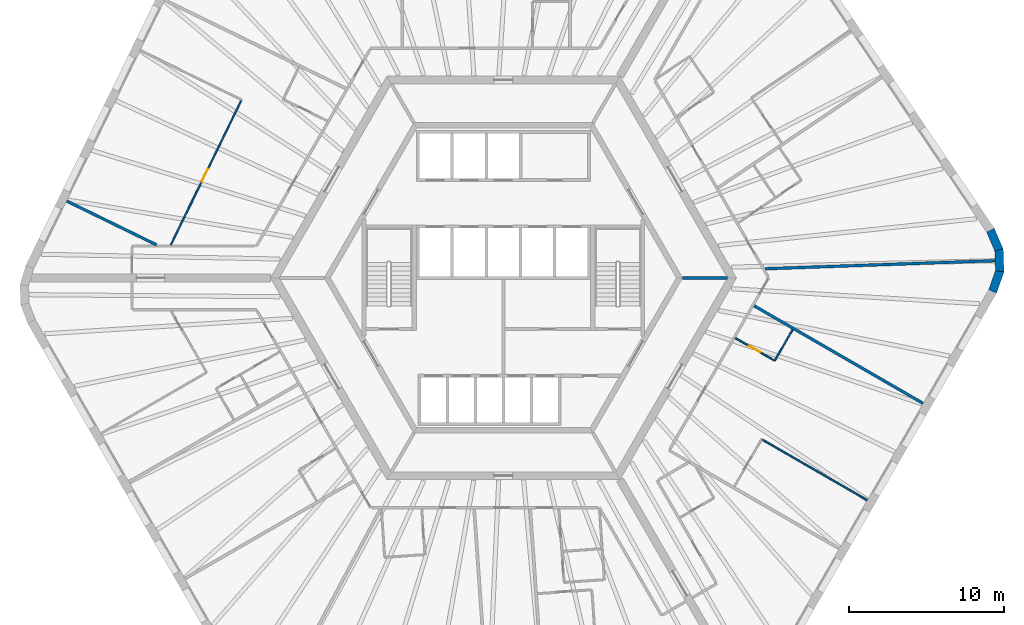
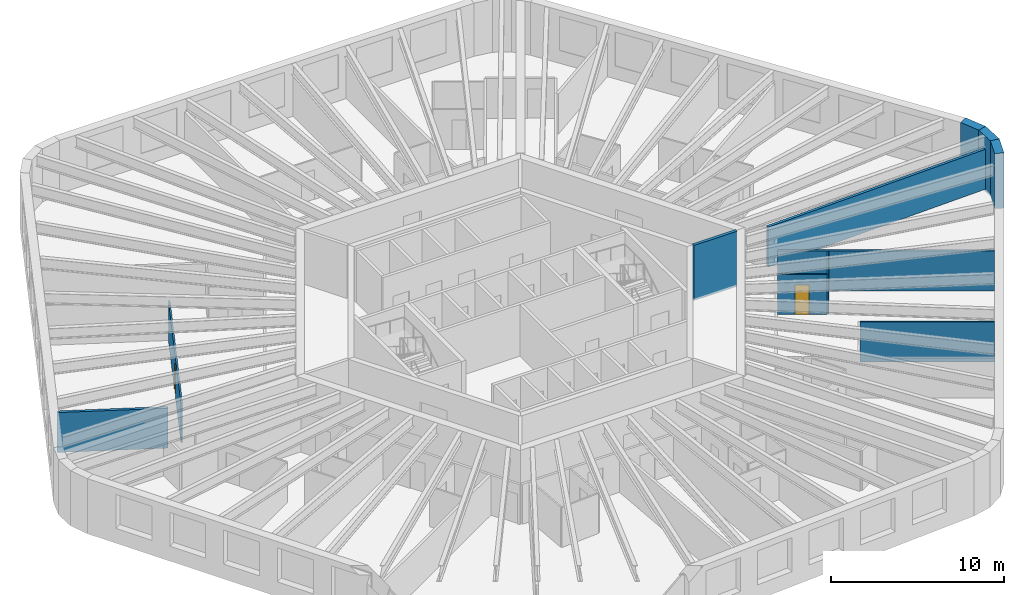
# One storey, part 6 of 10: 11 walls, 2 doors, 2 openings.
"""IFC4 building model written with IfcOpenShell, lengths in metres."""

from ifc_helpers import new_model, si_unit, direction, frame, frame_2d, origin, place, context, subcontext, project, spatial, polyline, rectangle, outline, extrude, material, layer, layer_set, type_object, element, fill, save


model = new_model("IFC4")

# Units and contexts
model_context = context("Model", 3, precision=1e-05, world=origin(), true_north=direction((0.0, 1.0)))
body_context = subcontext(model_context, "Body", "Model", "MODEL_VIEW")
ifc_project = project(units=[si_unit("LENGTHUNIT", "METRE"), si_unit("AREAUNIT", "SQUARE_METRE"), si_unit("VOLUMEUNIT", "CUBIC_METRE"), si_unit("PLANEANGLEUNIT", "RADIAN"), si_unit("MASSUNIT", "GRAM", prefix="KILO")], contexts=[model_context])

# Site, building, storey
site_placement = place(None, origin())
site = spatial("IfcSite", under=ifc_project, at=site_placement, CompositionType="ELEMENT")
building_placement = place(site_placement, origin())
building = spatial("IfcBuilding", under=site, at=building_placement, Name="Tarnside Tower", CompositionType="ELEMENT")
storey_placement = place(building_placement, frame((0.0, 0.0, 156.60009765625)))
storey = spatial("IfcBuildingStorey", under=building, at=storey_placement, Name="L36", CompositionType="ELEMENT", Elevation=156.60009765625)

# Wall
ifc_material_1 = material(Name="Gypsum board partition on steel studs", Category="steel")
ifc_layer_1 = layer(ifc_material_1, 0.10009765625)
ifc_layer_set_1 = layer_set([ifc_layer_1], Name="Bathroom wall 100")
wall_type_1 = type_object("IfcWallType", Name="Bathroom wall 100", PredefinedType="PARTITIONING", material=ifc_layer_set_1)
wall_1_placement = place(storey_placement, frame((18.629150390625, -3.333251953125, 0.0), z_axis=(0.0, 0.0, 1.0), x_axis=(-0.500015210774, -0.866016621662, 0.0)))
element("IfcWall", 1, at=wall_1_placement, inside=storey, type_object=wall_type_1, Name="Bathroom wall 11099", PredefinedType="PARTITIONING", context=body_context, shape_type="SweptSolid", body=[
    extrude(rectangle(XDim=2.31005859375, YDim=0.10009765625, at=frame_2d((1.155029296875, 0.0))), origin(), (0.0, 0.0, 1.0), 2.8232421875),
])

# Wall, opening, door
wall_2_placement = place(storey_placement, frame((17.430908203125, -5.308837890625, 0.0), z_axis=(0.0, 0.0, 1.0), x_axis=(-0.866018712932, 0.500011588718, 0.0)))
wall_2 = element("IfcWall", 2, at=wall_2_placement, inside=storey, type_object=wall_type_1, Name="Bathroom wall 11100", PredefinedType="PARTITIONING", context=body_context, shape_type="SweptSolid", body=[
    extrude(rectangle(XDim=2.875, YDim=0.10009765625, at=frame_2d((1.4375, 0.0))), origin(), (0.0, 0.0, 1.0), 2.8232421875),
])
opening_1_placement = place(wall_2_placement, frame((1.050048828125, 0.0, 0.0)))
opening_1 = element("IfcOpeningElement", 3, at=opening_1_placement, cuts=wall_2, Name="Opening D-B1", PredefinedType="OPENING", context=body_context, shape_type="SweptSolid", body=[
    extrude(rectangle(XDim=0.800048828125, YDim=2.10009765625, at=frame_2d((0.39990234375, 1.050048828125))), frame((0.0, 0.06005859375, 0.0), z_axis=(0.0, -1.0, 0.0), x_axis=(1.0, 0.0, 0.0)), (0.0, 0.0, 1.0), 0.1201171875),
])
ifc_material_2 = material(Name="Timber door leaf", Category="wood")
door_type_1 = type_object("IfcDoorType", Name="Bathroom door 800", OperationType="NOTDEFINED", PredefinedType="DOOR", material=ifc_material_2)
door_1_placement = place(opening_1_placement, origin())
door_1 = element("IfcDoor", 4, at=door_1_placement, inside=storey, type_object=door_type_1, Name="Bathroom door 11028", OperationType="SINGLE_SWING_LEFT", OverallHeight=2.10009765625, OverallWidth=0.800048828125, PredefinedType="DOOR", context=body_context, shape_type="SweptSolid", body=[
    extrude(rectangle(XDim=0.800048828125, YDim=2.10009765625, at=frame_2d((0.39990234375, 1.050048828125))), frame((0.0, 0.02490234375, 0.0), z_axis=(0.0, -1.0, 0.0), x_axis=(1.0, 0.0, 0.0)), (0.0, 0.0, 1.0), 0.050048828125),
])
fill(opening_1, door_1)

# Walls
ifc_layer_2 = layer(ifc_material_1, 0.179931640625)
ifc_layer_set_2 = layer_set([ifc_layer_2], Name="Demising wall 180 EI 60")
wall_type_2 = type_object("IfcWallType", Name="Demising wall 180 EI 60", PredefinedType="PARTITIONING", material=ifc_layer_set_2)
wall_3_placement = place(storey_placement, frame((-28.127197265625, 4.948974609375, 0.0), z_axis=(0.0, 0.0, 1.0), x_axis=(0.898795032868, -0.438369124017, 0.0)))
element("IfcWall", 5, at=wall_3_placement, inside=storey, type_object=wall_type_2, Name="Demising wall 11065", PredefinedType="PARTITIONING", context=body_context, shape_type="SweptSolid", body=[
    extrude(rectangle(XDim=6.44189453125, YDim=0.179931640625, at=frame_2d((3.220947265625, 0.0))), origin(), (0.0, 0.0, 1.0), 2.8232421875),
])
wall_4_placement = place(storey_placement, frame((27.03125, -8.080322265625, 0.0), z_axis=(0.0, 0.0, 1.0), x_axis=(-0.86602780907, 0.499995833901, 0.0)))
element("IfcWall", 6, at=wall_4_placement, inside=storey, type_object=wall_type_2, Name="Demising wall 11103", PredefinedType="PARTITIONING", context=body_context, shape_type="SweptSolid", body=[
    extrude(rectangle(XDim=12.57470703125, YDim=0.179931640625, at=frame_2d((6.287353515625, 0.0))), origin(), (0.0, 0.0, 1.0), 2.8232421875),
])
wall_5_placement = place(storey_placement, frame((31.66650390625, 1.105712890625, 0.0), z_axis=(0.0, 0.0, 1.0), x_axis=(-0.999390937365, -0.034896336667, 0.0)))
element("IfcWall", 7, at=wall_5_placement, inside=storey, type_object=wall_type_2, Name="Demising wall 11105", PredefinedType="PARTITIONING", context=body_context, shape_type="SweptSolid", body=[
    extrude(rectangle(XDim=14.8388671875, YDim=0.179931640625, at=frame_2d((7.41943359375, 0.0))), origin(), (0.0, 0.0, 1.0), 2.8232421875),
])
ifc_material_3 = material(Name="Concrete C40/50", Category="concrete")
ifc_layer_3 = layer(ifc_material_3, 0.199951171875)
ifc_layer_set_3 = layer_set([ifc_layer_3], Name="Lift shaft wall 200 C40/50")
wall_type_3 = type_object("IfcWallType", Name="Lift shaft wall 200 C40/50", PredefinedType="SHEAR", material=ifc_layer_set_3)
wall_6_placement = place(storey_placement, frame((11.547119140625, 0.0, -0.150146484375), z_axis=(0.0, 0.0, 1.0), x_axis=(1.0, 0.0, 0.0)))
element("IfcWall", 8, at=wall_6_placement, inside=storey, type_object=wall_type_3, Name="L36 core partition AR0", PredefinedType="SHEAR", context=body_context, shape_type="SweptSolid", body=[
    extrude(rectangle(XDim=2.88671875, YDim=0.199951171875, at=frame_2d((1.443359375, 0.0))), origin(), (0.0, 0.0, 1.0), 3.900146484375),
])

# Wall, opening, door
ifc_layer_4 = layer(ifc_material_1, 0.10009765625)
ifc_layer_set_4 = layer_set([ifc_layer_4], Name="Partition 100")
wall_type_4 = type_object("IfcWallType", Name="Partition 100", PredefinedType="PARTITIONING", material=ifc_layer_set_4)
wall_7_placement = place(storey_placement, frame((-16.88720703125, 11.427490234375, 0.0), z_axis=(0.0, 0.0, 1.0), x_axis=(-0.438369721011, -0.898794741696, 0.0)))
wall_7 = element("IfcWall", 9, at=wall_7_placement, inside=storey, type_object=wall_type_4, Name="Partition wall 11064", PredefinedType="PARTITIONING", context=body_context, shape_type="SweptSolid", body=[
    extrude(rectangle(XDim=10.349853515625, YDim=0.10009765625, at=frame_2d((5.1748046875, 0.0))), origin(), (0.0, 0.0, 1.0), 2.8232421875),
])
opening_2_placement = place(wall_7_placement, frame((4.89990234375, 0.0, 0.0)))
opening_2 = element("IfcOpeningElement", 10, at=opening_2_placement, cuts=wall_7, Name="Opening D-I1", PredefinedType="OPENING", context=body_context, shape_type="SweptSolid", body=[
    extrude(rectangle(XDim=0.89990234375, YDim=2.10009765625, at=frame_2d((0.449951171875, 1.050048828125))), frame((0.0, 0.06005859375, 0.0), z_axis=(0.0, -1.0, 0.0), x_axis=(1.0, 0.0, 0.0)), (0.0, 0.0, 1.0), 0.1201171875),
])
door_type_2 = type_object("IfcDoorType", Name="Internal door 900", OperationType="NOTDEFINED", PredefinedType="DOOR", material=ifc_material_2)
door_2_placement = place(opening_2_placement, origin())
door_2 = element("IfcDoor", 11, at=door_2_placement, inside=storey, type_object=door_type_2, Name="Internal door 11009", OperationType="SINGLE_SWING_LEFT", OverallHeight=2.10009765625, OverallWidth=0.89990234375, PredefinedType="DOOR", context=body_context, shape_type="SweptSolid", body=[
    extrude(rectangle(XDim=0.89990234375, YDim=2.10009765625, at=frame_2d((0.449951171875, 1.050048828125))), frame((0.0, 0.02490234375, 0.0), z_axis=(0.0, -1.0, 0.0), x_axis=(1.0, 0.0, 0.0)), (0.0, 0.0, 1.0), 0.050048828125),
])
fill(opening_2, door_2)

# Walls
wall_8_placement = place(storey_placement, frame((16.67626953125, -10.415771484375, 0.0), z_axis=(0.0, 0.0, 1.0), x_axis=(0.866034953203, -0.499983459557, 0.0)))
element("IfcWall", 12, at=wall_8_placement, inside=storey, type_object=wall_type_4, Name="Partition wall 11102", PredefinedType="PARTITIONING", context=body_context, shape_type="SweptSolid", body=[
    extrude(rectangle(XDim=7.800048828125, YDim=0.10009765625, at=frame_2d((3.89990234375, 0.0))), origin(), (0.0, 0.0, 1.0), 2.8232421875),
])
ifc_material_4 = material(Name="Facing brick", Category="masonry")
ifc_layer_5 = layer(ifc_material_4, 0.10205078125)
ifc_material_5 = material(Name="Concrete C60/75 precast", Category="concrete")
ifc_layer_6 = layer(ifc_material_5, 0.347900390625)
ifc_material_6 = material(Name="Mineral wool insulation")
ifc_layer_7 = layer(ifc_material_6, 0.10009765625)
ifc_layer_set_5 = layer_set([ifc_layer_5, ifc_layer_6, ifc_layer_7], Name="Tube wall 550 brick faced")
wall_type_5 = type_object("IfcWallType", Name="Tube wall 550 brick faced", PredefinedType="SOLIDWALL", material=ifc_layer_set_5)
wall_9_placement = place(storey_placement, frame((31.509033203125, -0.874755859375, -0.150146484375), z_axis=(0.0, 0.0, 1.0), x_axis=(0.33111537203, 0.943590276765, 0.0)))
element("IfcWall", 13, at=wall_9_placement, inside=storey, type_object=wall_type_5, Name="Tube wall L36 F5 chord 17", PredefinedType="SOLIDWALL", context=body_context, shape_type="SweptSolid", body=[
    extrude(outline(polyline([(-0.025634765625, -0.27490234375), (1.4306640625, -0.27490234375), (1.3271484375, 0.27490234375), (0.025634765625, 0.27490234375), (-0.025634765625, -0.27490234375)])), origin(), (0.0, 0.0, 1.0), 3.900146484375),
])
wall_10_placement = place(storey_placement, frame((31.965576171875, 0.42626953125, -0.150146484375), z_axis=(0.0, 0.0, 1.0), x_axis=(-0.034876908462, 0.999391615562, 0.0)))
element("IfcWall", 14, at=wall_10_placement, inside=storey, type_object=wall_type_5, Name="Tube wall L36 F5 chord 18", PredefinedType="SOLIDWALL", context=body_context, shape_type="SweptSolid", body=[
    extrude(outline(polyline([(-0.0517578125, -0.27490234375), (1.4306640625, -0.27490234375), (1.3271484375, 0.27490234375), (0.0517578125, 0.27490234375), (-0.0517578125, -0.27490234375)])), origin(), (0.0, 0.0, 1.0), 3.900146484375),
])
wall_11_placement = place(storey_placement, frame((31.91748046875, 1.804443359375, -0.150146484375), z_axis=(0.0, 0.0, 1.0), x_axis=(-0.396225741392, 0.918153125496, 0.0)))
element("IfcWall", 15, at=wall_11_placement, inside=storey, type_object=wall_type_5, Name="Tube wall L36 F5 chord 19", PredefinedType="SOLIDWALL", context=body_context, shape_type="SweptSolid", body=[
    extrude(outline(polyline([(-0.0517578125, -0.27490234375), (1.404541015625, -0.27490234375), (1.353271484375, 0.27490234375), (0.0517578125, 0.27490234375), (-0.0517578125, -0.27490234375)])), origin(), (0.0, 0.0, 1.0), 3.900146484375),
])

save(model, "model.ifc")
